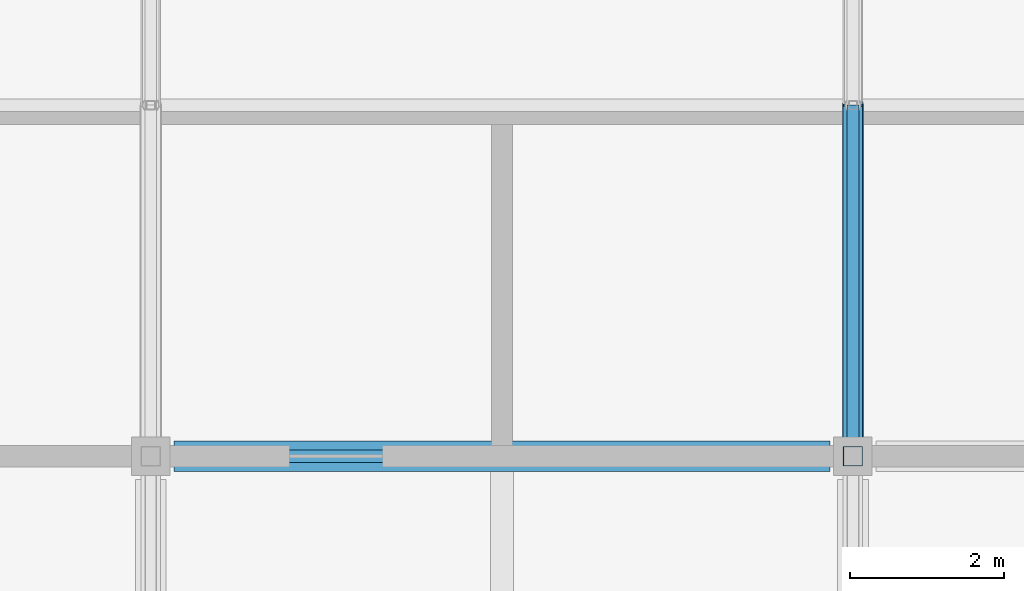
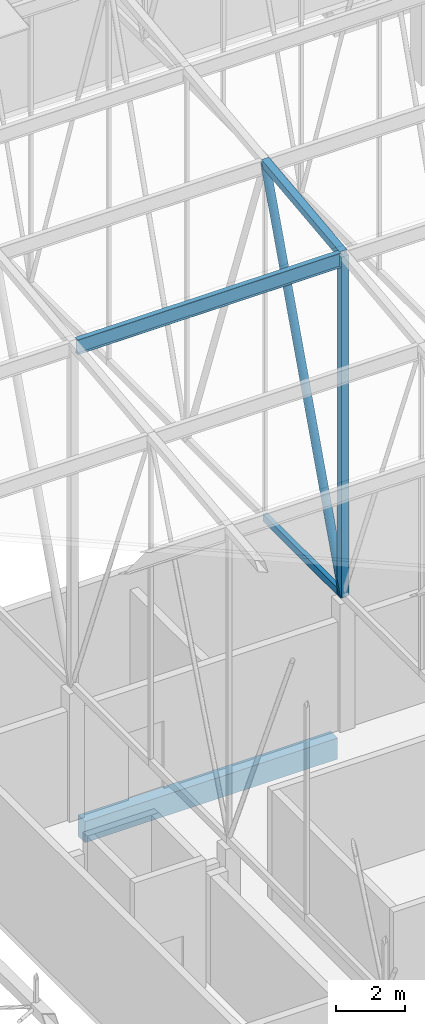
# One storey, part 156 of 500: 5 members, 1 beam.
"""IFC4 building model written with IfcOpenShell, lengths in metres."""

import ifcopenshell
import ifcopenshell.guid

model = None  # the IFC model being written
_history = None  # IfcOwnerHistory: only IFC2X3 demands one
_inside = {}  # id of a spatial element -> (the spatial element, [elements in it])
_under = {}  # id of a project, library or spatial element -> (it, [spatial elements below it])
_declared = {}  # id of a project -> (the project, [libraries it declares])
_typed = {}  # id of a type object -> (the type object, [elements of that type])
_made_of = {}  # id of a material, layer set ... -> (it, [elements and type objects made of it])


def new_model(schema):
    """Start an empty IFC model of exactly this schema.

    Asked for "IFC4X3", IfcOpenShell would pick the latest addendum, in which some entities
    have other attributes; the version numbers below select the first issue.
    IFC2X3 requires an IfcOwnerHistory on every rooted entity: one is made here for all.
    """
    global model, _history
    if schema == "IFC4X3":
        model = ifcopenshell.file(schema_version=(4, 3, 0, 0))
    else:
        model = ifcopenshell.file(schema=schema)
    _inside.clear()
    _under.clear()
    _declared.clear()
    _typed.clear()
    _made_of.clear()
    _history = None
    if model.schema == "IFC2X3":
        org = make("IfcOrganization", Name="unknown")
        user = make(
            "IfcPersonAndOrganization",
            ThePerson=make("IfcPerson", FamilyName="unknown"),
            TheOrganization=org,
        )
        app = make(
            "IfcApplication",
            ApplicationDeveloper=org,
            Version="unknown",
            ApplicationFullName="unknown",
            ApplicationIdentifier="unknown",
        )
        _history = make(
            "IfcOwnerHistory",
            OwningUser=user,
            OwningApplication=app,
            ChangeAction="ADDED",
            CreationDate=0,
        )
    return model


def make(cls, **values):
    """One entity of the class cls with the attributes given. An attribute that is None is left unset."""
    return model.create_entity(
        cls, **{name: value for name, value in values.items() if value is not None}
    )


def rooted(cls, **values):
    """An entity with a GlobalId (a new one), such as an element, a storey or a relation."""
    return make(cls, GlobalId=ifcopenshell.guid.new(), OwnerHistory=_history, **values)


def si_unit(unit_type, name, prefix=None):
    """IfcSIUnit, for example si_unit("LENGTHUNIT", "METRE", prefix="MILLI")."""
    return make("IfcSIUnit", UnitType=unit_type, Prefix=prefix, Name=name)


def assignment(units):
    """IfcUnitAssignment: the units of a project."""
    return None if units is None else make("IfcUnitAssignment", Units=units)


def point(xyz):
    """IfcCartesianPoint."""
    return None if xyz is None else make("IfcCartesianPoint", Coordinates=xyz)


def direction(xyz):
    """IfcDirection."""
    return None if xyz is None else make("IfcDirection", DirectionRatios=xyz)


def frame(location, z_axis=None, x_axis=None):
    """IfcAxis2Placement3D, a coordinate frame: its origin and axes. An axis left out is left unset."""
    return make(
        "IfcAxis2Placement3D",
        Location=point(location),
        Axis=direction(z_axis),
        RefDirection=direction(x_axis),
    )


def frame_2d(location, x_axis=None):
    """IfcAxis2Placement2D, a coordinate frame in the plane: its origin and x axis."""
    return make(
        "IfcAxis2Placement2D", Location=point(location), RefDirection=direction(x_axis)
    )


def origin():
    """The frame at (0, 0, 0) with its axes left unset."""
    return frame((0.0, 0.0, 0.0))


def origin_2d():
    """The frame at (0, 0) in the plane with its x axis left unset."""
    return frame_2d((0.0, 0.0))


def place(relative_to, where):
    """IfcLocalPlacement: puts the frame where relative to a parent placement (None: the world)."""
    return make(
        "IfcLocalPlacement", PlacementRelTo=relative_to, RelativePlacement=where
    )


def context(
    kind, dimensions, precision=None, world=None, true_north=None, identifier=None
):
    """IfcGeometricRepresentationContext, for example the 3D "Model" context."""
    return make(
        "IfcGeometricRepresentationContext",
        ContextIdentifier=identifier,
        ContextType=kind,
        CoordinateSpaceDimension=dimensions,
        Precision=precision,
        WorldCoordinateSystem=world,
        TrueNorth=true_north,
    )


def subcontext(parent, identifier, kind, view, scale=None):
    """IfcGeometricRepresentationSubContext, for example "Body" below "Model"."""
    return make(
        "IfcGeometricRepresentationSubContext",
        ContextIdentifier=identifier,
        ContextType=kind,
        ParentContext=parent,
        TargetScale=scale,
        TargetView=view,
    )


def project(units=None, contexts=None):
    """IfcProject with its units and contexts."""
    return rooted(
        "IfcProject",
        Name="project",
        RepresentationContexts=contexts,
        UnitsInContext=assignment(units),
    )


def spatial(cls, under=None, at=None, **own):
    """A site, building, storey or space (cls), placed at a placement, below another one or the project."""
    s = rooted(cls, ObjectPlacement=at, **own)
    if under is not None:
        _under.setdefault(under.id(), (under, []))[1].append(s)
    return s


def profile(cls, at=None, kind="AREA", **sizes):
    """A parametric profile (cls). Its sizes go by their IFC names, for example OverallWidth=200.0."""
    return make(cls, ProfileType=kind, Position=at, **sizes)


def rectangle(**sizes):
    """IfcRectangleProfileDef."""
    return profile("IfcRectangleProfileDef", **sizes)


def hollow_rectangle(**sizes):
    """IfcRectangleHollowProfileDef."""
    return profile("IfcRectangleHollowProfileDef", **sizes)


def hollow_circle(**sizes):
    """IfcCircleHollowProfileDef."""
    return profile("IfcCircleHollowProfileDef", **sizes)


def i_section(**sizes):
    """IfcIShapeProfileDef."""
    return profile("IfcIShapeProfileDef", **sizes)


def extrude(swept, where, along, depth):
    """IfcExtrudedAreaSolid: the profile swept, set in the frame where, extruded along a direction by depth."""
    return make(
        "IfcExtrudedAreaSolid",
        SweptArea=swept,
        Position=where,
        ExtrudedDirection=direction(along),
        Depth=depth,
    )


def shape(context_of_items, identifier, shape_type, items):
    """IfcShapeRepresentation: the items that make up one representation, for example the "Body"."""
    return make(
        "IfcShapeRepresentation",
        ContextOfItems=context_of_items,
        RepresentationIdentifier=identifier,
        RepresentationType=shape_type,
        Items=items,
    )


def material(Name=None, Category=None):
    """IfcMaterial."""
    return make("IfcMaterial", Name=Name, Category=Category)


def material_profile(
    of_material, cross_section, Name=None, Category=None, Priority=None
):
    """IfcMaterialProfile: a cross section and its material."""
    return make(
        "IfcMaterialProfile",
        Name=Name,
        Material=of_material,
        Profile=cross_section,
        Priority=Priority,
        Category=Category,
    )


def profile_set(profiles, Name=None, composite=None):
    """IfcMaterialProfileSet."""
    return make(
        "IfcMaterialProfileSet",
        Name=Name,
        MaterialProfiles=profiles,
        CompositeProfile=composite,
    )


def made_of(thing, what):
    """Note that an element or type object is made of a material, layer set ...; save() writes the relation."""
    if what is not None:
        _made_of.setdefault(what.id(), (what, []))[1].append(thing)
    return thing


def type_object(cls, material=None, **own):
    """A type object (cls), such as IfcWallType, which elements share."""
    return made_of(rooted(cls, **own), material)


def element(
    cls,
    number,
    at=None,
    inside=None,
    cuts=None,
    type_object=None,
    material=None,
    context=None,
    identifier="Body",
    shape_type=None,
    held_by="IfcProductDefinitionShape",
    body=None,
    shapes=None,
    **own,
):
    """One element of the class cls, such as IfcWall. Its Tag is "e" and its number.

    at: its placement. inside: the storey or other place that contains it. cuts: it is an
    opening in that element (IfcRelVoidsElement). A single representation is given by context,
    identifier, shape_type and body (its items); several are given by shapes. held_by: the class
    of the entity that holds the representations. save() writes the other relations.
    """
    e = rooted(cls, Tag="e%d" % number, ObjectPlacement=at, **own)
    if body is not None:
        shapes = [shape(context, identifier, shape_type, body)]
    if shapes is not None:
        e.Representation = make(held_by, Representations=shapes)
    if inside is not None:
        _inside.setdefault(inside.id(), (inside, []))[1].append(e)
    if cuts is not None:
        rooted(
            "IfcRelVoidsElement", RelatingBuildingElement=cuts, RelatedOpeningElement=e
        )
    if type_object is not None:
        _typed.setdefault(type_object.id(), (type_object, []))[1].append(e)
    return made_of(e, material)


def aggregate(whole, parts):
    """IfcRelAggregates: a whole, such as a stair, and the parts it consists of."""
    return rooted("IfcRelAggregates", RelatingObject=whole, RelatedObjects=parts)


def save(model, path):
    """Write the relations noted so far, then the file.

    IfcRelAggregates (storeys below a building ...), IfcRelContainedInSpatialStructure (elements
    in a storey), IfcRelDefinesByType, IfcRelAssociatesMaterial and IfcRelDeclares: one each for
    every whole, place, type object, material and project.
    """
    for whole, parts in _under.values():
        aggregate(whole, parts)
    for where, things in _inside.values():
        rooted(
            "IfcRelContainedInSpatialStructure",
            RelatedElements=things,
            RelatingStructure=where,
        )
    for kind, things in _typed.values():
        rooted("IfcRelDefinesByType", RelatedObjects=things, RelatingType=kind)
    for what, things in _made_of.values():
        rooted("IfcRelAssociatesMaterial", RelatedObjects=things, RelatingMaterial=what)
    for by, libraries in _declared.values():
        rooted("IfcRelDeclares", RelatingContext=by, RelatedDefinitions=libraries)
    model.write(path)


model = new_model("IFC4")

# Units and contexts
model_context = context("Model", 3, precision=1e-05, world=origin(), true_north=direction((0.0, 1.0)))
body_context = subcontext(model_context, "Body", "Model", "MODEL_VIEW")
ifc_project = project(units=[si_unit("LENGTHUNIT", "METRE"), si_unit("AREAUNIT", "SQUARE_METRE"), si_unit("VOLUMEUNIT", "CUBIC_METRE"), si_unit("PLANEANGLEUNIT", "RADIAN"), si_unit("MASSUNIT", "GRAM", prefix="KILO")], contexts=[model_context])

# Site, building, storey
site_placement = place(None, origin())
site = spatial("IfcSite", under=ifc_project, at=site_placement, CompositionType="ELEMENT")
building_placement = place(site_placement, origin())
building = spatial("IfcBuilding", under=site, at=building_placement, Name="Shirokan Park Arena", CompositionType="ELEMENT")
storey_placement = place(building_placement, frame((0.0, 0.0, 29.1201171875)))
storey = spatial("IfcBuildingStorey", under=building, at=storey_placement, Name="L06", CompositionType="ELEMENT", Elevation=29.1201171875)

# Members
ifc_material_1 = material(Name="Steel ASTM A500 Grade C", Category="steel")
ifc_material_profile_1 = material_profile(ifc_material_1, hollow_rectangle(XDim=0.152099609375, YDim=0.25390625, WallThickness=0.009521484375, at=origin_2d()), Name="HSS254X152.4X9.5")
ifc_profile_set_1 = profile_set([ifc_material_profile_1], Name="Steel ASTM A500 Grade C")
member_type_1 = type_object("IfcMemberType", Name="Bottom chord HSS254X152.4X9.5", PredefinedType="CHORD", material=ifc_profile_set_1)
member_1_placement = place(storey_placement, frame((118.300048828125, 36.39990234375, 4.677001953125), z_axis=(0.0, 1.0, 0.0), x_axis=(-1.0, 0.0, 0.0)))
element("IfcMember", 1, at=member_1_placement, inside=storey, type_object=member_type_1, Name="Truss T14 bottom chord 11", PredefinedType="CHORD", context=body_context, shape_type="SweptSolid", body=[
    extrude(hollow_rectangle(XDim=0.152099609375, YDim=0.25390625, WallThickness=0.009521484375, at=origin_2d()), origin(), (0.0, 0.0, 1.0), 4.550048828125),
])
ifc_material_2 = material(Name="Steel ASTM A992", Category="steel")
ifc_material_profile_2 = material_profile(ifc_material_2, i_section(OverallWidth=0.166015625, OverallDepth=0.528076171875, WebThickness=0.009765625, FlangeThickness=0.013671875, at=origin_2d()), Name="W530X74")
ifc_profile_set_2 = profile_set([ifc_material_profile_2], Name="Steel ASTM A992")
member_type_2 = type_object("IfcMemberType", Name="Purlin W530X74", PredefinedType="PURLIN", material=ifc_profile_set_2)
member_2_placement = place(storey_placement, frame((109.326904296875, 36.39990234375, 16.64599609375), z_axis=(1.0, 0.0, 0.0), x_axis=(0.0, 1.0, 0.0)))
element("IfcMember", 2, at=member_2_placement, inside=storey, type_object=member_type_2, Name="Purlin 11 bay 13", PredefinedType="PURLIN", context=body_context, shape_type="SweptSolid", body=[
    extrude(i_section(OverallWidth=0.166015625, OverallDepth=0.528076171875, WebThickness=0.009765625, FlangeThickness=0.013671875, at=origin_2d()), origin(), (0.0, 0.0, 1.0), 8.84619140625),
])

# Beam
ifc_material_3 = material(Name="Concrete C35", Category="concrete")
ifc_material_profile_3 = material_profile(ifc_material_3, rectangle(XDim=0.39990234375, YDim=0.75, at=origin_2d()), Name="400x750")
ifc_profile_set_3 = profile_set([ifc_material_profile_3], Name="Concrete C35")
beam_type = type_object("IfcBeamType", Name="RC girder 400x750", PredefinedType="BEAM", material=ifc_profile_set_3)
beam_placement = place(storey_placement, frame((109.5, 36.39990234375, -0.5751953125), z_axis=(1.0, 0.0, 0.0), x_axis=(0.0, 1.0, 0.0)))
element("IfcBeam", 3, at=beam_placement, inside=storey, type_object=beam_type, Name="Girder 13E-14E L06", PredefinedType="BEAM", context=body_context, shape_type="SweptSolid", body=[
    extrude(rectangle(XDim=0.39990234375, YDim=0.75, at=origin_2d()), origin(), (0.0, 0.0, 1.0), 8.5),
])

# Members
ifc_material_profile_4 = material_profile(ifc_material_1, hollow_rectangle(XDim=0.25390625, YDim=0.25390625, WallThickness=0.009521484375, at=origin_2d()), Name="HSS254X254X9.5")
ifc_profile_set_4 = profile_set([ifc_material_profile_4], Name="Steel ASTM A500 Grade C")
member_type_3 = type_object("IfcMemberType", Name="Top chord HSS254X254X9.5", PredefinedType="CHORD", material=ifc_profile_set_4)
member_3_placement = place(storey_placement, frame((118.300048828125, 36.39990234375, 16.782958984375), z_axis=(0.0, 0.993532328996, 0.113549598152), x_axis=(-1.0, 0.0, 0.0)))
element("IfcMember", 4, at=member_3_placement, inside=storey, type_object=member_type_3, Name="Truss T14 top chord 11", PredefinedType="CHORD", context=body_context, shape_type="SweptSolid", body=[
    extrude(hollow_rectangle(XDim=0.25390625, YDim=0.25390625, WallThickness=0.009521484375, at=origin_2d()), origin(), (0.0, 0.0, 1.0), 4.57958984375),
])
ifc_material_profile_5 = material_profile(ifc_material_1, hollow_circle(Radius=0.136474609375, WallThickness=0.009521484375, at=origin_2d()), Name="HSS273.1X9.5")
ifc_profile_set_5 = profile_set([ifc_material_profile_5], Name="Steel ASTM A500 Grade C")
member_type_4 = type_object("IfcMemberType", Name="Truss diagonal HSS273.1X9.5", PredefinedType="BRACE", material=ifc_profile_set_5)
member_4_placement = place(storey_placement, frame((118.300048828125, 36.39990234375, 4.677001953125), z_axis=(0.0, 0.339029292845, 0.940775817394), x_axis=(-1.0, 0.0, 0.0)))
element("IfcMember", 5, at=member_4_placement, inside=storey, type_object=member_type_4, Name="Truss T14 diagonal 11", PredefinedType="BRACE", context=body_context, shape_type="SweptSolid", body=[
    extrude(hollow_circle(Radius=0.136474609375, WallThickness=0.009521484375, at=origin_2d()), origin(), (0.0, 0.0, 1.0), 13.4208984375),
])
ifc_material_profile_6 = material_profile(ifc_material_1, hollow_rectangle(XDim=0.25390625, YDim=0.25390625, WallThickness=0.009521484375, at=origin_2d()), Name="HSS254X254X9.5")
ifc_profile_set_6 = profile_set([ifc_material_profile_6], Name="Steel ASTM A500 Grade C")
member_type_5 = type_object("IfcMemberType", Name="Truss post HSS254X254X9.5", PredefinedType="POST", material=ifc_profile_set_6)
member_5_placement = place(storey_placement, frame((118.300048828125, 36.39990234375, 4.677001953125), z_axis=(0.0, 0.0, 1.0), x_axis=(1.0, 0.0, 0.0)))
element("IfcMember", 6, at=member_5_placement, inside=storey, type_object=member_type_5, Name="Truss T14 post 11", PredefinedType="POST", context=body_context, shape_type="SweptSolid", body=[
    extrude(hollow_rectangle(XDim=0.25390625, YDim=0.25390625, WallThickness=0.009521484375, at=origin_2d()), origin(), (0.0, 0.0, 1.0), 12.10595703125),
])

save(model, "model.ifc")
